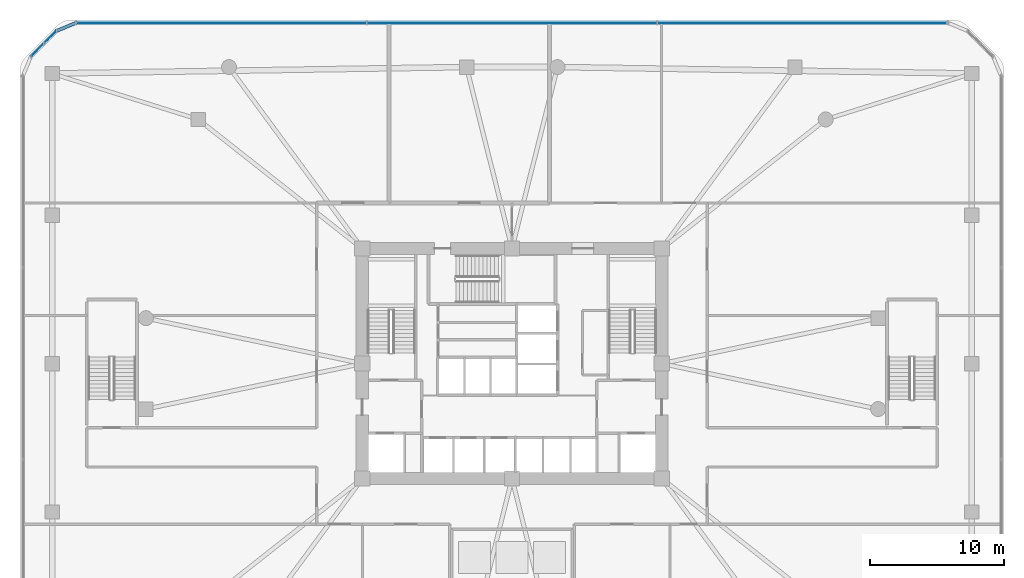
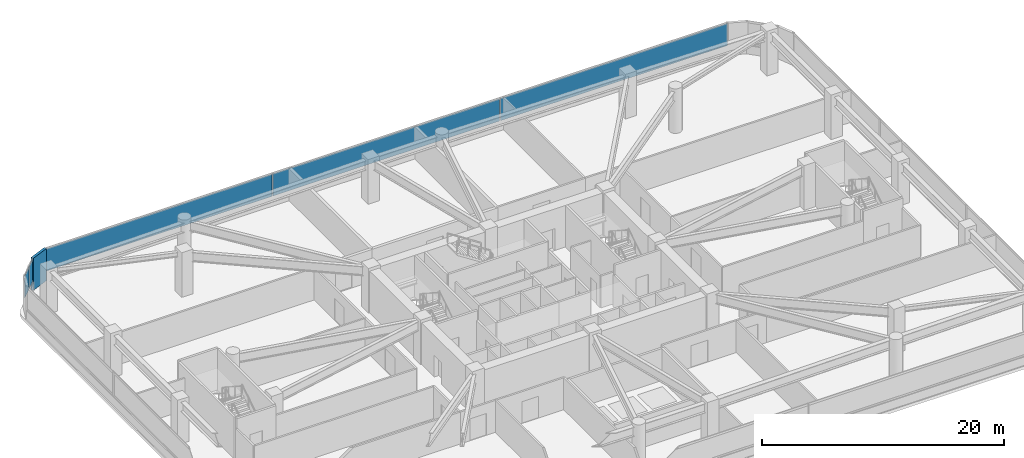
# One storey, part 14 of 21: 6 plates, 2 elements without a shape of their own.
"""IFC4 building model written with IfcOpenShell, lengths in metres."""

from ifc_helpers import new_model, si_unit, derived_unit, direction, frame, origin, origin_2d, place, context, subcontext, project, spatial, rectangle, extrude, material, layer, layer_set, type_object, element, aggregate, save


model = new_model("IFC4")

# Units and contexts
model_context = context("Model", 3, precision=1e-05, world=origin(), true_north=direction((0.0, 1.0)))
body_context = subcontext(model_context, "Body", "Model", "MODEL_VIEW")
ifc_project = project(units=[si_unit("LENGTHUNIT", "METRE"), si_unit("AREAUNIT", "SQUARE_METRE"), si_unit("VOLUMEUNIT", "CUBIC_METRE"), si_unit("PLANEANGLEUNIT", "RADIAN"), si_unit("MASSUNIT", "GRAM", prefix="KILO"), derived_unit("THERMALTRANSMITTANCEUNIT", [(si_unit("POWERUNIT", "WATT"), 1), (si_unit("LENGTHUNIT", "METRE"), -2), (si_unit("THERMODYNAMICTEMPERATUREUNIT", "KELVIN"), -1)])], contexts=[model_context])

# Site, building, storey
site_placement = place(None, origin())
site = spatial("IfcSite", under=ifc_project, at=site_placement, CompositionType="ELEMENT")
building_placement = place(site_placement, origin())
building = spatial("IfcBuilding", under=site, at=building_placement, Name="Koralith Skygarden Medical Center", CompositionType="ELEMENT")
storey_placement = place(building_placement, frame((0.0, 0.0, 9.89990234375)))
storey = spatial("IfcBuildingStorey", under=building, at=storey_placement, Name="L02", CompositionType="ELEMENT", Elevation=9.89990234375)

# Curtain wall, plates
ifc_material_1 = material(Name="Clear Laminated Glass", Category="glass")
curtain_wall_type = type_object("IfcCurtainWallType", Name="CW-1 Transit & Podium Acoustic Curtain Wall", PredefinedType="NOTDEFINED", material=ifc_material_1)
curtain_wall_1_placement = place(storey_placement, origin())
curtain_wall_1 = element("IfcCurtainWall", 1, at=curtain_wall_1_placement, inside=storey, type_object=curtain_wall_type, Name="Curtain Wall CW-L02-N", PredefinedType="NOTDEFINED")
ifc_layer_1 = layer(ifc_material_1, 0.030029296875)
ifc_layer_set_1 = layer_set([ifc_layer_1], Name="Clear Laminated Glass")
plate_type_1 = type_object("IfcPlateType", Name="CW-1 Hurricane Laminated IGU Panel 30", PredefinedType="CURTAIN_PANEL", material=ifc_layer_set_1)
plate_1_placement = place(storey_placement, frame((58.7470703125, 51.3798828125, 0.920166015625), z_axis=(0.0, 0.0, 1.0), x_axis=(-1.0, 0.0, 0.0)))
plate_1 = element("IfcPlate", 2, at=plate_1_placement, type_object=plate_type_1, Name="CW-L02-N Glazed Panel 1", PredefinedType="CURTAIN_PANEL", context=body_context, shape_type="SweptSolid", body=[
    extrude(rectangle(XDim=21.656982421875, YDim=0.030029296875, at=origin_2d()), origin(), (0.0, 0.0, 1.0), 2.25),
])
plate_2_placement = place(storey_placement, frame((37.0, 51.3798828125, 0.920166015625), z_axis=(0.0, 0.0, 1.0), x_axis=(-1.0, 0.0, 0.0)))
plate_2 = element("IfcPlate", 3, at=plate_2_placement, type_object=plate_type_1, Name="CW-L02-N Glazed Panel 2", PredefinedType="CURTAIN_PANEL", context=body_context, shape_type="SweptSolid", body=[
    extrude(rectangle(XDim=21.656982421875, YDim=0.030029296875, at=origin_2d()), origin(), (0.0, 0.0, 1.0), 2.25),
])
plate_3_placement = place(storey_placement, frame((15.2529296875, 51.3798828125, 0.920166015625), z_axis=(0.0, 0.0, 1.0), x_axis=(-1.0, 0.0, 0.0)))
plate_3 = element("IfcPlate", 4, at=plate_3_placement, type_object=plate_type_1, Name="CW-L02-N Glazed Panel 3", PredefinedType="CURTAIN_PANEL", context=body_context, shape_type="SweptSolid", body=[
    extrude(rectangle(XDim=21.656982421875, YDim=0.030029296875, at=origin_2d()), origin(), (0.0, 0.0, 1.0), 2.25),
])
aggregate(curtain_wall_1, [plate_1, plate_2, plate_3])

curtain_wall_2_placement = place(storey_placement, origin())
curtain_wall_2 = element("IfcCurtainWall", 5, at=curtain_wall_2_placement, inside=storey, type_object=curtain_wall_type, Name="Curtain Wall CW-L02-NW", PredefinedType="NOTDEFINED")
plate_4_placement = place(storey_placement, frame((2.450927734375, 50.302001953125, 0.920166015625), z_axis=(0.0, 0.0, 1.0), x_axis=(-0.707106781187, -0.707106781187, 0.0)))
plate_4 = element("IfcPlate", 6, at=plate_4_placement, type_object=plate_type_1, Name="CW-L02-NW Glazed Panel 1", PredefinedType="CURTAIN_PANEL", context=body_context, shape_type="SweptSolid", body=[
    extrude(rectangle(XDim=1.258056640625, YDim=0.030029296875, at=origin_2d()), origin(), (0.0, 0.0, 1.0), 2.25),
])
plate_5_placement = place(storey_placement, frame((1.498046875, 49.34912109375, 0.920166015625), z_axis=(0.0, 0.0, 1.0), x_axis=(-0.707106781187, -0.707106781187, 0.0)))
plate_5 = element("IfcPlate", 7, at=plate_5_placement, type_object=plate_type_1, Name="CW-L02-NW Glazed Panel 2", PredefinedType="CURTAIN_PANEL", context=body_context, shape_type="SweptSolid", body=[
    extrude(rectangle(XDim=1.258056640625, YDim=0.030029296875, at=origin_2d()), origin(), (0.0, 0.0, 1.0), 2.25),
])
aggregate(curtain_wall_2, [plate_4, plate_5])

# Plate
ifc_material_2 = material(Name="Warm Oolitic Limestone Cladding", Category="masonry")
ifc_layer_2 = layer(ifc_material_2, 0.239990234375)
ifc_layer_set_2 = layer_set([ifc_layer_2], Name="Warm Oolitic Limestone Cladding")
plate_type_2 = type_object("IfcPlateType", Name="Rounded-Corner Oolitic Limestone Cladding Panel 240", PredefinedType="USERDEFINED", material=ifc_layer_set_2)
plate_6_placement = place(storey_placement, frame((3.653076171875, 51.080078125, 0.0), z_axis=(0.0, 0.0, 1.0), x_axis=(-0.92388487569, -0.382670532536, 0.0)))
element("IfcPlate", 8, at=plate_6_placement, inside=storey, type_object=plate_type_2, Name="L02 Rounded-Corner Limestone Pier 5", ObjectType="LIMESTONE CLADDING", PredefinedType="USERDEFINED", context=body_context, shape_type="SweptSolid", body=[
    extrude(rectangle(XDim=1.81103515625, YDim=0.239990234375, at=origin_2d()), origin(), (0.0, 0.0, 1.0), 3.239990234375),
])

save(model, "model.ifc")
